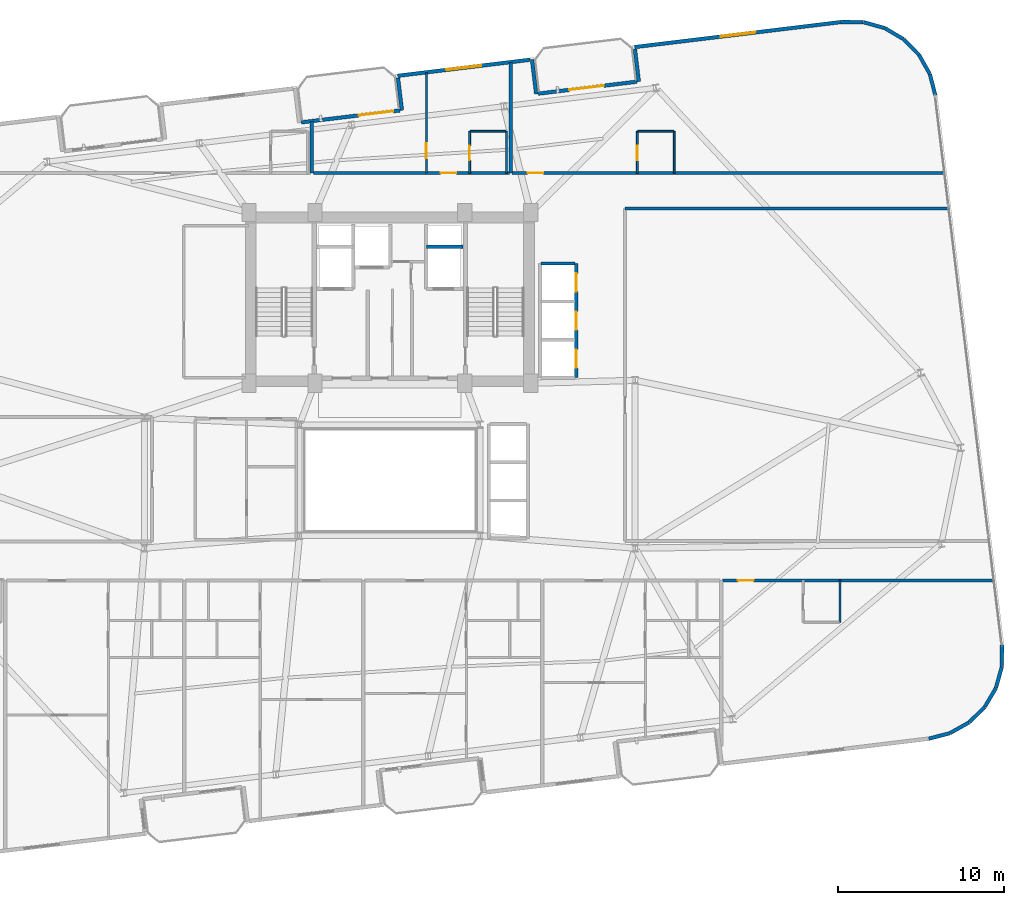
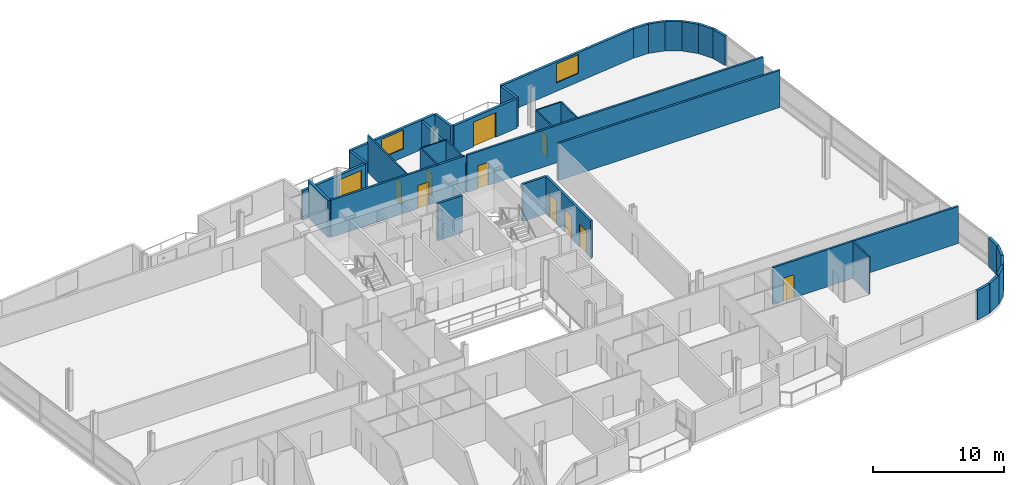
# One storey, part 18 of 23: 36 walls, 11 doors, 2 windows, 13 openings.
"""IFC4 building model written with IfcOpenShell, lengths in metres."""

from ifc_helpers import new_model, si_unit, direction, frame, frame_2d, origin, place, context, subcontext, project, spatial, rectangle, extrude, material, layer, layer_set, type_object, element, fill, save


model = new_model("IFC4")

# Units and contexts
model_context = context("Model", 3, precision=1e-05, world=origin(), true_north=direction((0.0, 1.0)))
body_context = subcontext(model_context, "Body", "Model", "MODEL_VIEW")
ifc_project = project(units=[si_unit("LENGTHUNIT", "METRE"), si_unit("AREAUNIT", "SQUARE_METRE"), si_unit("VOLUMEUNIT", "CUBIC_METRE"), si_unit("PLANEANGLEUNIT", "RADIAN"), si_unit("MASSUNIT", "GRAM", prefix="KILO")], contexts=[model_context])

# Site, building, storey
site_placement = place(None, origin())
site = spatial("IfcSite", under=ifc_project, at=site_placement, CompositionType="ELEMENT")
building_placement = place(site_placement, origin())
building = spatial("IfcBuilding", under=site, at=building_placement, Name="Varnelok Gate Tower", CompositionType="ELEMENT")
storey_placement = place(building_placement, frame((0.0, 0.0, 170.89990234375)))
storey = spatial("IfcBuildingStorey", under=building, at=storey_placement, Name="L43", CompositionType="ELEMENT", Elevation=170.89990234375)

# Wall, opening, door
ifc_material_1 = material(Name="Concrete C45/55", Category="concrete")
ifc_layer_1 = layer(ifc_material_1, 0.219970703125)
ifc_layer_set_1 = layer_set([ifc_layer_1], Name="Concrete C45/55")
wall_type_1 = type_object("IfcWallType", Name="EW-BALC-220", PredefinedType="SOLIDWALL", material=ifc_layer_set_1)
wall_1_placement = place(storey_placement, frame((33.852294921875, 44.48583984375, 0.0), z_axis=(0.0, 0.0, 1.0), x_axis=(0.992729951822, 0.120362962556, 0.0)))
wall_1 = element("IfcWall", 1, at=wall_1_placement, inside=storey, type_object=wall_type_1, Name="L43 North Terrace Envelope Wall 5", PredefinedType="SOLIDWALL", context=body_context, shape_type="SweptSolid", body=[
    extrude(rectangle(XDim=6.0, YDim=0.219970703125, at=frame_2d((3.0, 0.0))), origin(), (0.0, 0.0, 1.0), 2.72998046875),
])
opening_1_placement = place(wall_1_placement, frame((3.5, 0.0, 0.0)))
opening_1 = element("IfcOpeningElement", 2, at=opening_1_placement, cuts=wall_1, Name="Opening BD-2", PredefinedType="OPENING", context=body_context, shape_type="SweptSolid", body=[
    extrude(rectangle(XDim=2.10009765625, YDim=2.300048828125, at=frame_2d((1.050048828125, 1.14990234375))), frame((0.0, 0.119873046875, 0.0), z_axis=(0.0, -1.0, 0.0), x_axis=(1.0, 0.0, 0.0)), (0.0, 0.0, 1.0), 0.239990234375),
])
ifc_material_2 = material(Name="Anodized Aluminum Alloy 6063-T6", Category="aluminium")
door_type_1 = type_object("IfcDoorType", Name="DR-EXT-SLID2100", OperationType="SLIDING_TO_LEFT", PredefinedType="DOOR", material=ifc_material_2)
door_1_placement = place(opening_1_placement, origin())
door_1 = element("IfcDoor", 3, at=door_1_placement, inside=storey, type_object=door_type_1, Name="L43 North Balcony Glazed Door 5", OperationType="SLIDING_TO_LEFT", OverallHeight=2.300048828125, OverallWidth=2.10009765625, PredefinedType="DOOR", context=body_context, shape_type="SweptSolid", body=[
    extrude(rectangle(XDim=2.10009765625, YDim=2.300048828125, at=frame_2d((1.050048828125, 1.14990234375))), frame((0.0, 0.02490234375, 0.0), z_axis=(0.0, -1.0, 0.0), x_axis=(1.0, 0.0, 0.0)), (0.0, 0.0, 1.0), 0.050048828125),
])
fill(opening_1, door_1)

wall_2_placement = place(storey_placement, frame((48.147705078125, 46.21875, 0.0), z_axis=(0.0, 0.0, 1.0), x_axis=(0.992729951822, 0.120362962556, 0.0)))
wall_2 = element("IfcWall", 4, at=wall_2_placement, inside=storey, type_object=wall_type_1, Name="L43 North Terrace Envelope Wall 6", PredefinedType="SOLIDWALL", context=body_context, shape_type="SweptSolid", body=[
    extrude(rectangle(XDim=6.0, YDim=0.219970703125, at=frame_2d((3.0, 0.0))), origin(), (0.0, 0.0, 1.0), 2.72998046875),
])
opening_2_placement = place(wall_2_placement, frame((1.887939453125, 0.0, 0.0)))
opening_2 = element("IfcOpeningElement", 5, at=opening_2_placement, cuts=wall_2, Name="Opening BD-2", PredefinedType="OPENING", context=body_context, shape_type="SweptSolid", body=[
    extrude(rectangle(XDim=2.10009765625, YDim=2.300048828125, at=frame_2d((1.050048828125, 1.14990234375))), frame((0.0, 0.119873046875, 0.0), z_axis=(0.0, -1.0, 0.0), x_axis=(1.0, 0.0, 0.0)), (0.0, 0.0, 1.0), 0.239990234375),
])
door_2_placement = place(opening_2_placement, origin())
door_2 = element("IfcDoor", 6, at=door_2_placement, inside=storey, type_object=door_type_1, Name="L43 North Balcony Glazed Door 6", OperationType="SLIDING_TO_LEFT", OverallHeight=2.300048828125, OverallWidth=2.10009765625, PredefinedType="DOOR", context=body_context, shape_type="SweptSolid", body=[
    extrude(rectangle(XDim=2.10009765625, YDim=2.300048828125, at=frame_2d((1.050048828125, 1.14990234375))), frame((0.0, 0.02490234375, 0.0), z_axis=(0.0, -1.0, 0.0), x_axis=(1.0, 0.0, 0.0)), (0.0, 0.0, 1.0), 0.050048828125),
])
fill(opening_2, door_2)

# Walls
wall_3_placement = place(storey_placement, frame((71.71875, 7.305908203125, 0.0), z_axis=(0.0, 0.0, 1.0), x_axis=(0.968541764193, 0.248851061909, 0.0)))
element("IfcWall", 7, at=wall_3_placement, inside=storey, type_object=wall_type_1, Name="L43 Perimeter Facade Closure Wall 17", PredefinedType="SOLIDWALL", context=body_context, shape_type="SweptSolid", body=[
    extrude(rectangle(XDim=1.308837890625, YDim=0.219970703125, at=frame_2d((0.654296875, 0.0))), origin(), (0.0, 0.0, 1.0), 2.72998046875),
])
for number, where, z_axis, x_axis, name in (
    (8, (73.00830078125, 7.64404296875, 0.0), (0.0, 0.0, 1.0), (0.87105877335, 0.491178799797, 0.0), "L43 Perimeter Facade Closure Wall 18"),
    (9, (74.1591796875, 8.30029296875, 0.0), (0.0, 0.0, 1.0), (0.714295394827, 0.699844331926, 0.0), "L43 Perimeter Facade Closure Wall 19"),
    (10, (75.101318359375, 9.232177734375, 0.0), (0.0, 0.0, 1.0), (0.508798863936, 0.860885425627, 0.0), "L43 Perimeter Facade Closure Wall 20"),
    (11, (75.77001953125, 10.376220703125, 0.0), (0.0, 0.0, 1.0), (0.26859243053, 0.963253915778, 0.0), "L43 Perimeter Facade Closure Wall 21"),
):
    element("IfcWall", number, at=place(storey_placement, frame(where, z_axis=z_axis, x_axis=x_axis)), inside=storey, type_object=wall_type_1, Name=name, PredefinedType="SOLIDWALL", context=body_context, shape_type="SweptSolid", body=[
        extrude(rectangle(XDim=1.30078125, YDim=0.219970703125, at=frame_2d((0.650390625, 0.0))), origin(), (0.0, 0.0, 1.0), 2.72998046875),
    ])
wall_4_placement = place(storey_placement, frame((76.11962890625, 11.654052734375, 0.0), z_axis=(0.0, 0.0, 1.0), x_axis=(0.01032033607, 0.999946743914, 0.0)))
element("IfcWall", 12, at=wall_4_placement, inside=storey, type_object=wall_type_1, Name="L43 Perimeter Facade Closure Wall 22", PredefinedType="SOLIDWALL", context=body_context, shape_type="SweptSolid", body=[
    extrude(rectangle(XDim=1.301025390625, YDim=0.219970703125, at=frame_2d((0.650390625, 0.0))), origin(), (0.0, 0.0, 1.0), 2.72998046875),
])
wall_5_placement = place(storey_placement, frame((72.113525390625, 46.1123046875, 0.0), z_axis=(0.0, 0.0, 1.0), x_axis=(-0.248942347653, 0.968518305219, 0.0)))
element("IfcWall", 13, at=wall_5_placement, inside=storey, type_object=wall_type_1, Name="L43 Perimeter Facade Closure Wall 23", PredefinedType="SOLIDWALL", context=body_context, shape_type="SweptSolid", body=[
    extrude(rectangle(XDim=1.325927734375, YDim=0.219970703125, at=frame_2d((0.6630859375, 0.0))), origin(), (0.0, 0.0, 1.0), 2.72998046875),
])
wall_6_placement = place(storey_placement, frame((71.771240234375, 47.418212890625, 0.0), z_axis=(0.0, 0.0, 1.0), x_axis=(-0.491098509465, 0.871104043155, 0.0)))
element("IfcWall", 14, at=wall_6_placement, inside=storey, type_object=wall_type_1, Name="L43 Perimeter Facade Closure Wall 24", PredefinedType="SOLIDWALL", context=body_context, shape_type="SweptSolid", body=[
    extrude(rectangle(XDim=1.301025390625, YDim=0.219970703125, at=frame_2d((0.650390625, 0.0))), origin(), (0.0, 0.0, 1.0), 2.72998046875),
])
wall_7_placement = place(storey_placement, frame((71.114990234375, 48.5693359375, 0.0), z_axis=(0.0, 0.0, 1.0), x_axis=(-0.699844331926, 0.714295394827, 0.0)))
element("IfcWall", 15, at=wall_7_placement, inside=storey, type_object=wall_type_1, Name="L43 Perimeter Facade Closure Wall 25", PredefinedType="SOLIDWALL", context=body_context, shape_type="SweptSolid", body=[
    extrude(rectangle(XDim=1.30078125, YDim=0.219970703125, at=frame_2d((0.650390625, 0.0))), origin(), (0.0, 0.0, 1.0), 2.72998046875),
])
wall_8_placement = place(storey_placement, frame((70.18310546875, 49.51123046875, 0.0), z_axis=(0.0, 0.0, 1.0), x_axis=(-0.860933999601, 0.508716668029, 0.0)))
element("IfcWall", 16, at=wall_8_placement, inside=storey, type_object=wall_type_1, Name="L43 Perimeter Facade Closure Wall 26", PredefinedType="SOLIDWALL", context=body_context, shape_type="SweptSolid", body=[
    extrude(rectangle(XDim=1.301025390625, YDim=0.219970703125, at=frame_2d((0.650390625, 0.0))), origin(), (0.0, 0.0, 1.0), 2.72998046875),
])
wall_9_placement = place(storey_placement, frame((69.0390625, 50.179931640625, 0.0), z_axis=(0.0, 0.0, 1.0), x_axis=(-0.963205341366, 0.26876657226, 0.0)))
element("IfcWall", 17, at=wall_9_placement, inside=storey, type_object=wall_type_1, Name="L43 Perimeter Facade Closure Wall 27", PredefinedType="SOLIDWALL", context=body_context, shape_type="SweptSolid", body=[
    extrude(rectangle(XDim=1.30078125, YDim=0.219970703125, at=frame_2d((0.650390625, 0.0))), origin(), (0.0, 0.0, 1.0), 2.72998046875),
])
wall_10_placement = place(storey_placement, frame((67.760986328125, 50.52978515625, 0.0), z_axis=(0.0, 0.0, 1.0), x_axis=(-0.999947358106, 0.010260653861, 0.0)))
element("IfcWall", 18, at=wall_10_placement, inside=storey, type_object=wall_type_1, Name="L43 Perimeter Facade Closure Wall 28", PredefinedType="SOLIDWALL", context=body_context, shape_type="SweptSolid", body=[
    extrude(rectangle(XDim=1.30859375, YDim=0.219970703125, at=frame_2d((0.654296875, 0.0))), origin(), (0.0, 0.0, 1.0), 2.72998046875),
])

# Wall, opening, window
wall_11_placement = place(storey_placement, frame((66.427490234375, 50.5400390625, 0.0), z_axis=(0.0, 0.0, 1.0), x_axis=(-0.992731739233, -0.120348219431, 0.0)))
wall_11 = element("IfcWall", 19, at=wall_11_placement, inside=storey, type_object=wall_type_1, Name="L43 Perimeter Facade Closure Wall 29", PredefinedType="SOLIDWALL", context=body_context, shape_type="SweptSolid", body=[
    extrude(rectangle(XDim=12.547119140625, YDim=0.219970703125, at=frame_2d((6.2734375, 0.0))), origin(), (0.0, 0.0, 1.0), 2.72998046875),
])
opening_3_placement = place(wall_11_placement, frame((5.2236328125, 0.0, 0.800048828125)))
opening_3 = element("IfcOpeningElement", 20, at=opening_3_placement, cuts=wall_11, Name="Opening WN4", PredefinedType="OPENING", context=body_context, shape_type="SweptSolid", body=[
    extrude(rectangle(XDim=2.10009765625, YDim=1.75, at=frame_2d((1.050048828125, 0.875))), frame((0.0, 0.119873046875, 0.0), z_axis=(0.0, -1.0, 0.0), x_axis=(1.0, 0.0, 0.0)), (0.0, 0.0, 1.0), 0.239990234375),
])
ifc_material_3 = material(Name="Low-E Laminated Double Glazing IGU", Category="glass")
window_type = type_object("IfcWindowType", Name="WN-SUI-2100", PartitioningType="SINGLE_PANEL", PredefinedType="WINDOW", material=ifc_material_3)
window_1_placement = place(opening_3_placement, origin())
window_1 = element("IfcWindow", 21, at=window_1_placement, inside=storey, type_object=window_type, Name="L43 Perimeter Vision Window 29", OverallHeight=1.75, OverallWidth=2.10009765625, PartitioningType="SINGLE_PANEL", PredefinedType="WINDOW", context=body_context, shape_type="SweptSolid", body=[
    extrude(rectangle(XDim=2.10009765625, YDim=1.75, at=frame_2d((1.050048828125, 0.875))), frame((0.0, 0.030029296875, 0.0), z_axis=(0.0, -1.0, 0.0), x_axis=(1.0, 0.0, 0.0)), (0.0, 0.0, 1.0), 0.06005859375),
])
fill(opening_3, window_1)

# Walls
wall_12_placement = place(storey_placement, frame((53.986572265625, 48.906005859375, 0.0), z_axis=(0.0, 0.0, 1.0), x_axis=(0.120397815541, -0.992725725472, 0.0)))
element("IfcWall", 22, at=wall_12_placement, inside=storey, type_object=wall_type_1, Name="L43 Perimeter Facade Closure Wall 30", PredefinedType="SOLIDWALL", context=body_context, shape_type="SweptSolid", body=[
    extrude(rectangle(XDim=1.97509765625, YDim=0.219970703125, at=frame_2d((0.987548828125, 0.0))), origin(), (0.0, 0.0, 1.0), 2.72998046875),
])
wall_13_placement = place(storey_placement, frame((48.029541015625, 46.1943359375, 0.0), z_axis=(0.0, 0.0, 1.0), x_axis=(-0.120314009587, 0.992735885871, 0.0)))
element("IfcWall", 23, at=wall_13_placement, inside=storey, type_object=wall_type_1, Name="L43 Perimeter Facade Closure Wall 31", PredefinedType="SOLIDWALL", context=body_context, shape_type="SweptSolid", body=[
    extrude(rectangle(XDim=2.10009765625, YDim=0.219970703125, at=frame_2d((1.050048828125, 0.0))), origin(), (0.0, 0.0, 1.0), 2.72998046875),
])

# Wall, opening, window
wall_14_placement = place(storey_placement, frame((47.65283203125, 48.26416015625, 0.0), z_axis=(0.0, 0.0, 1.0), x_axis=(-0.992731032022, -0.120354052946, 0.0)))
wall_14 = element("IfcWall", 24, at=wall_14_placement, inside=storey, type_object=wall_type_1, Name="L43 Perimeter Facade Closure Wall 32", PredefinedType="SOLIDWALL", context=body_context, shape_type="SweptSolid", body=[
    extrude(rectangle(XDim=8.034912109375, YDim=0.219970703125, at=frame_2d((4.017578125, 0.0))), origin(), (0.0, 0.0, 1.0), 2.72998046875),
])
opening_4_placement = place(wall_14_placement, frame((2.967529296875, 0.0, 0.800048828125)))
opening_4 = element("IfcOpeningElement", 25, at=opening_4_placement, cuts=wall_14, Name="Opening WN4", PredefinedType="OPENING", context=body_context, shape_type="SweptSolid", body=[
    extrude(rectangle(XDim=2.10009765625, YDim=1.75, at=frame_2d((1.050048828125, 0.875))), frame((0.0, 0.119873046875, 0.0), z_axis=(0.0, -1.0, 0.0), x_axis=(1.0, 0.0, 0.0)), (0.0, 0.0, 1.0), 0.239990234375),
])
window_2_placement = place(opening_4_placement, origin())
window_2 = element("IfcWindow", 26, at=window_2_placement, inside=storey, type_object=window_type, Name="L43 Perimeter Vision Window 32", OverallHeight=1.75, OverallWidth=2.10009765625, PartitioningType="SINGLE_PANEL", PredefinedType="WINDOW", context=body_context, shape_type="SweptSolid", body=[
    extrude(rectangle(XDim=2.10009765625, YDim=1.75, at=frame_2d((1.050048828125, 0.875))), frame((0.0, 0.030029296875, 0.0), z_axis=(0.0, -1.0, 0.0), x_axis=(1.0, 0.0, 0.0)), (0.0, 0.0, 1.0), 0.06005859375),
])
fill(opening_4, window_2)

# Wall
wall_15_placement = place(storey_placement, frame((39.691162109375, 47.173095703125, 0.0), z_axis=(0.0, 0.0, 1.0), x_axis=(0.120397815541, -0.992725725472, 0.0)))
element("IfcWall", 27, at=wall_15_placement, inside=storey, type_object=wall_type_1, Name="L43 Perimeter Facade Closure Wall 33", PredefinedType="SOLIDWALL", context=body_context, shape_type="SweptSolid", body=[
    extrude(rectangle(XDim=1.97509765625, YDim=0.219970703125, at=frame_2d((0.987548828125, 0.0))), origin(), (0.0, 0.0, 1.0), 2.72998046875),
])

# Wall, opening, door
ifc_material_4 = material(Name="Gypsum Plasterboard Acoustic Partition", Category="gypsum")
ifc_layer_2 = layer(ifc_material_4, 0.179931640625)
ifc_layer_set_2 = layer_set([ifc_layer_2], Name="Gypsum Plasterboard Acoustic Partition")
wall_type_2 = type_object("IfcWallType", Name="PW-CORR-180", PredefinedType="PARTITIONING", material=ifc_layer_set_2)
wall_16_placement = place(storey_placement, frame((59.280029296875, 16.85009765625, 0.0), z_axis=(0.0, 0.0, 1.0), x_axis=(1.0, 0.0, 0.0)))
wall_16 = element("IfcWall", 28, at=wall_16_placement, inside=storey, type_object=wall_type_2, Name="Interior Partition", PredefinedType="PARTITIONING", context=body_context, shape_type="SweptSolid", body=[
    extrude(rectangle(XDim=16.32177734375, YDim=0.179931640625, at=frame_2d((8.160888671875, 0.0))), origin(), (0.0, 0.0, 1.0), 3.4501953125),
])
opening_5_placement = place(wall_16_placement, frame((0.916015625, 0.0, 0.0)))
opening_5 = element("IfcOpeningElement", 29, at=opening_5_placement, cuts=wall_16, Name="Opening D-HT", PredefinedType="OPENING", context=body_context, shape_type="SweptSolid", body=[
    extrude(rectangle(XDim=0.949951171875, YDim=2.14990234375, at=frame_2d((0.47509765625, 1.074951171875))), frame((0.0, 0.099853515625, 0.0), z_axis=(0.0, -1.0, 0.0), x_axis=(1.0, 0.0, 0.0)), (0.0, 0.0, 1.0), 0.199951171875),
])
ifc_material_5 = material(Name="Engineered Hardwood Timber", Category="wood")
door_type_2 = type_object("IfcDoorType", Name="DR-HTL-950", OperationType="NOTDEFINED", PredefinedType="DOOR", material=ifc_material_5)
door_3_placement = place(opening_5_placement, origin())
door_3 = element("IfcDoor", 30, at=door_3_placement, inside=storey, type_object=door_type_2, Name="L43 Guest Room 06 Entrance Door", OperationType="SINGLE_SWING_LEFT", OverallHeight=2.14990234375, OverallWidth=0.949951171875, PredefinedType="DOOR", context=body_context, shape_type="SweptSolid", body=[
    extrude(rectangle(XDim=0.949951171875, YDim=2.14990234375, at=frame_2d((0.47509765625, 1.074951171875))), frame((0.0, 0.02490234375, 0.0), z_axis=(0.0, -1.0, 0.0), x_axis=(1.0, 0.0, 0.0)), (0.0, 0.0, 1.0), 0.050048828125),
])
fill(opening_5, door_3)

wall_17_placement = place(storey_placement, frame((34.580078125, 41.429931640625, 0.0), z_axis=(0.0, 0.0, 1.0), x_axis=(1.0, 0.0, 0.0)))
wall_17 = element("IfcWall", 31, at=wall_17_placement, inside=storey, type_object=wall_type_2, Name="Interior Partition", PredefinedType="PARTITIONING", context=body_context, shape_type="SweptSolid", body=[
    extrude(rectangle(XDim=11.83984375, YDim=0.179931640625, at=frame_2d((5.919921875, 0.0))), origin(), (0.0, 0.0, 1.0), 3.4501953125),
])
opening_6_placement = place(wall_17_placement, frame((7.679931640625, 0.0, 0.0)))
opening_6 = element("IfcOpeningElement", 32, at=opening_6_placement, cuts=wall_17, Name="Opening D-HT", PredefinedType="OPENING", context=body_context, shape_type="SweptSolid", body=[
    extrude(rectangle(XDim=0.949951171875, YDim=2.14990234375, at=frame_2d((0.47509765625, 1.074951171875))), frame((0.0, 0.099853515625, 0.0), z_axis=(0.0, -1.0, 0.0), x_axis=(1.0, 0.0, 0.0)), (0.0, 0.0, 1.0), 0.199951171875),
])
door_4_placement = place(opening_6_placement, origin())
door_4 = element("IfcDoor", 33, at=door_4_placement, inside=storey, type_object=door_type_2, Name="L43 Guest Room 08 Entrance Door", OperationType="SINGLE_SWING_LEFT", OverallHeight=2.14990234375, OverallWidth=0.949951171875, PredefinedType="DOOR", context=body_context, shape_type="SweptSolid", body=[
    extrude(rectangle(XDim=0.949951171875, YDim=2.14990234375, at=frame_2d((0.47509765625, 1.074951171875))), frame((0.0, 0.02490234375, 0.0), z_axis=(0.0, -1.0, 0.0), x_axis=(1.0, 0.0, 0.0)), (0.0, 0.0, 1.0), 0.050048828125),
])
fill(opening_6, door_4)

wall_18_placement = place(storey_placement, frame((46.580078125, 41.429931640625, 0.0), z_axis=(0.0, 0.0, 1.0), x_axis=(1.0, 0.0, 0.0)))
wall_18 = element("IfcWall", 34, at=wall_18_placement, inside=storey, type_object=wall_type_2, Name="Interior Partition", PredefinedType="PARTITIONING", context=body_context, shape_type="SweptSolid", body=[
    extrude(rectangle(XDim=26.0419921875, YDim=0.179931640625, at=frame_2d((13.02099609375, 0.0))), origin(), (0.0, 0.0, 1.0), 3.4501953125),
])
opening_7_placement = place(wall_18_placement, frame((0.92626953125, 0.0, 0.0)))
opening_7 = element("IfcOpeningElement", 35, at=opening_7_placement, cuts=wall_18, Name="Opening D-HT", PredefinedType="OPENING", context=body_context, shape_type="SweptSolid", body=[
    extrude(rectangle(XDim=0.949951171875, YDim=2.14990234375, at=frame_2d((0.47509765625, 1.074951171875))), frame((0.0, 0.099853515625, 0.0), z_axis=(0.0, -1.0, 0.0), x_axis=(1.0, 0.0, 0.0)), (0.0, 0.0, 1.0), 0.199951171875),
])
door_5_placement = place(opening_7_placement, origin())
door_5 = element("IfcDoor", 36, at=door_5_placement, inside=storey, type_object=door_type_2, Name="L43 Guest Room 09 Entrance Door", OperationType="SINGLE_SWING_RIGHT", OverallHeight=2.14990234375, OverallWidth=0.949951171875, PredefinedType="DOOR", context=body_context, shape_type="SweptSolid", body=[
    extrude(rectangle(XDim=0.949951171875, YDim=2.14990234375, at=frame_2d((0.47509765625, 1.074951171875))), frame((0.0, 0.02490234375, 0.0), z_axis=(0.0, -1.0, 0.0), x_axis=(1.0, 0.0, 0.0)), (0.0, 0.0, 1.0), 0.050048828125),
])
fill(opening_7, door_5)

# Walls
wall_19_placement = place(storey_placement, frame((53.389892578125, 39.300048828125, 0.0), z_axis=(0.0, 0.0, 1.0), x_axis=(1.0, 0.0, 0.0)))
element("IfcWall", 37, at=wall_19_placement, inside=storey, type_object=wall_type_2, Name="Interior Partition", PredefinedType="PARTITIONING", context=body_context, shape_type="SweptSolid", body=[
    extrude(rectangle(XDim=19.490234375, YDim=0.179931640625, at=frame_2d((9.7451171875, 0.0))), origin(), (0.0, 0.0, 1.0), 3.4501953125),
])
ifc_layer_3 = layer(ifc_material_4, 0.114990234375)
ifc_layer_set_3 = layer_set([ifc_layer_3], Name="Gypsum Plasterboard Acoustic Partition")
wall_type_3 = type_object("IfcWallType", Name="PW-ENS-125", PredefinedType="PARTITIONING", material=ifc_layer_set_3)
wall_20_placement = place(storey_placement, frame((66.360107421875, 14.330078125, 0.0), z_axis=(0.0, 0.0, 1.0), x_axis=(0.0, 1.0, 0.0)))
element("IfcWall", 38, at=wall_20_placement, inside=storey, type_object=wall_type_3, Name="Interior Partition", PredefinedType="PARTITIONING", context=body_context, shape_type="SweptSolid", body=[
    extrude(rectangle(XDim=2.52001953125, YDim=0.114990234375, at=frame_2d((1.260009765625, 0.0))), origin(), (0.0, 0.0, 1.0), 3.4501953125),
])
wall_21_placement = place(storey_placement, frame((44.050048828125, 43.949951171875, 0.0), z_axis=(0.0, 0.0, 1.0), x_axis=(1.0, 0.0, 0.0)))
element("IfcWall", 39, at=wall_21_placement, inside=storey, type_object=wall_type_3, Name="Interior Partition", PredefinedType="PARTITIONING", context=body_context, shape_type="SweptSolid", body=[
    extrude(rectangle(XDim=2.14990234375, YDim=0.114990234375, at=frame_2d((1.074951171875, 0.0))), origin(), (0.0, 0.0, 1.0), 3.4501953125),
])

# Wall, opening, door
wall_22_placement = place(storey_placement, frame((44.010009765625, 41.429931640625, 0.0), z_axis=(0.0, 0.0, 1.0), x_axis=(0.0, 1.0, 0.0)))
wall_22 = element("IfcWall", 40, at=wall_22_placement, inside=storey, type_object=wall_type_3, Name="Interior Partition", PredefinedType="PARTITIONING", context=body_context, shape_type="SweptSolid", body=[
    extrude(rectangle(XDim=2.52001953125, YDim=0.114990234375, at=frame_2d((1.260009765625, 0.0))), origin(), (0.0, 0.0, 1.0), 3.4501953125),
])
opening_8_placement = place(wall_22_placement, frame((0.760009765625, 0.0, 0.0)))
opening_8 = element("IfcOpeningElement", 41, at=opening_8_placement, cuts=wall_22, Name="Opening D-WC", PredefinedType="OPENING", context=body_context, shape_type="SweptSolid", body=[
    extrude(rectangle(XDim=0.89990234375, YDim=2.050048828125, at=frame_2d((0.449951171875, 1.02490234375))), frame((0.0, 0.0673828125, 0.0), z_axis=(0.0, -1.0, 0.0), x_axis=(1.0, 0.0, 0.0)), (0.0, 0.0, 1.0), 0.135009765625),
])
door_type_3 = type_object("IfcDoorType", Name="DR-BATH-900", OperationType="NOTDEFINED", PredefinedType="DOOR", material=ifc_material_5)
door_6_placement = place(opening_8_placement, origin())
door_6 = element("IfcDoor", 42, at=door_6_placement, inside=storey, type_object=door_type_3, Name="L43 North En-Suite 08 Door", OperationType="SINGLE_SWING_LEFT", OverallHeight=2.050048828125, OverallWidth=0.89990234375, PredefinedType="DOOR", context=body_context, shape_type="SweptSolid", body=[
    extrude(rectangle(XDim=0.89990234375, YDim=2.050048828125, at=frame_2d((0.449951171875, 1.02490234375))), frame((0.0, 0.02490234375, 0.0), z_axis=(0.0, -1.0, 0.0), x_axis=(1.0, 0.0, 0.0)), (0.0, 0.0, 1.0), 0.050048828125),
])
fill(opening_8, door_6)

# Walls
wall_23_placement = place(storey_placement, frame((46.239990234375, 41.429931640625, 0.0), z_axis=(0.0, 0.0, 1.0), x_axis=(0.0, 1.0, 0.0)))
element("IfcWall", 43, at=wall_23_placement, inside=storey, type_object=wall_type_3, Name="Interior Partition", PredefinedType="PARTITIONING", context=body_context, shape_type="SweptSolid", body=[
    extrude(rectangle(XDim=2.52001953125, YDim=0.114990234375, at=frame_2d((1.260009765625, 0.0))), origin(), (0.0, 0.0, 1.0), 3.4501953125),
])
wall_24_placement = place(storey_placement, frame((54.169921875, 43.949951171875, 0.0), z_axis=(0.0, 0.0, 1.0), x_axis=(1.0, 0.0, 0.0)))
element("IfcWall", 44, at=wall_24_placement, inside=storey, type_object=wall_type_3, Name="Interior Partition", PredefinedType="PARTITIONING", context=body_context, shape_type="SweptSolid", body=[
    extrude(rectangle(XDim=2.150146484375, YDim=0.114990234375, at=frame_2d((1.0751953125, 0.0))), origin(), (0.0, 0.0, 1.0), 3.4501953125),
])

# Wall, opening, door
wall_25_placement = place(storey_placement, frame((54.1298828125, 41.429931640625, 0.0), z_axis=(0.0, 0.0, 1.0), x_axis=(0.0, 1.0, 0.0)))
wall_25 = element("IfcWall", 45, at=wall_25_placement, inside=storey, type_object=wall_type_3, Name="Interior Partition", PredefinedType="PARTITIONING", context=body_context, shape_type="SweptSolid", body=[
    extrude(rectangle(XDim=2.52001953125, YDim=0.114990234375, at=frame_2d((1.260009765625, 0.0))), origin(), (0.0, 0.0, 1.0), 3.4501953125),
])
opening_9_placement = place(wall_25_placement, frame((0.760009765625, 0.0, 0.0)))
opening_9 = element("IfcOpeningElement", 46, at=opening_9_placement, cuts=wall_25, Name="Opening D-WC", PredefinedType="OPENING", context=body_context, shape_type="SweptSolid", body=[
    extrude(rectangle(XDim=0.89990234375, YDim=2.050048828125, at=frame_2d((0.449951171875, 1.02490234375))), frame((0.0, 0.0673828125, 0.0), z_axis=(0.0, -1.0, 0.0), x_axis=(1.0, 0.0, 0.0)), (0.0, 0.0, 1.0), 0.135009765625),
])
door_7_placement = place(opening_9_placement, origin())
door_7 = element("IfcDoor", 47, at=door_7_placement, inside=storey, type_object=door_type_3, Name="L43 North En-Suite 09 Door", OperationType="SINGLE_SWING_LEFT", OverallHeight=2.050048828125, OverallWidth=0.89990234375, PredefinedType="DOOR", context=body_context, shape_type="SweptSolid", body=[
    extrude(rectangle(XDim=0.89990234375, YDim=2.050048828125, at=frame_2d((0.449951171875, 1.02490234375))), frame((0.0, 0.02490234375, 0.0), z_axis=(0.0, -1.0, 0.0), x_axis=(1.0, 0.0, 0.0)), (0.0, 0.0, 1.0), 0.050048828125),
])
fill(opening_9, door_7)

# Wall
wall_26_placement = place(storey_placement, frame((56.360107421875, 41.429931640625, 0.0), z_axis=(0.0, 0.0, 1.0), x_axis=(0.0, 1.0, 0.0)))
element("IfcWall", 48, at=wall_26_placement, inside=storey, type_object=wall_type_3, Name="Interior Partition", PredefinedType="PARTITIONING", context=body_context, shape_type="SweptSolid", body=[
    extrude(rectangle(XDim=2.52001953125, YDim=0.114990234375, at=frame_2d((1.260009765625, 0.0))), origin(), (0.0, 0.0, 1.0), 3.4501953125),
])

# Wall, opening, door
ifc_layer_4 = layer(ifc_material_4, 0.125)
ifc_layer_set_4 = layer_set([ifc_layer_4], Name="Gypsum Plasterboard Acoustic Partition")
wall_type_4 = type_object("IfcWallType", Name="PW-PART-125", PredefinedType="PARTITIONING", material=ifc_layer_set_4)
wall_27_placement = place(storey_placement, frame((41.39990234375, 41.429931640625, 0.0), z_axis=(0.0, 0.0, 1.0), x_axis=(0.0, 1.0, 0.0)))
wall_27 = element("IfcWall", 49, at=wall_27_placement, inside=storey, type_object=wall_type_4, Name="Interior Partition", PredefinedType="PARTITIONING", context=body_context, shape_type="SweptSolid", body=[
    extrude(rectangle(XDim=6.05615234375, YDim=0.125, at=frame_2d((3.028076171875, 0.0))), origin(), (0.0, 0.0, 1.0), 3.4501953125),
])
opening_10_placement = place(wall_27_placement, frame((0.8876953125, 0.0, 0.0)))
opening_10 = element("IfcOpeningElement", 50, at=opening_10_placement, cuts=wall_27, Name="Opening D-I3", PredefinedType="OPENING", context=body_context, shape_type="SweptSolid", body=[
    extrude(rectangle(XDim=0.919921875, YDim=2.050048828125, at=frame_2d((0.4599609375, 1.02490234375))), frame((0.0, 0.072509765625, 0.0), z_axis=(0.0, -1.0, 0.0), x_axis=(1.0, 0.0, 0.0)), (0.0, 0.0, 1.0), 0.14501953125),
])
door_type_4 = type_object("IfcDoorType", Name="DR-INT-920", OperationType="NOTDEFINED", PredefinedType="DOOR", material=ifc_material_5)
door_8_placement = place(opening_10_placement, origin())
door_8 = element("IfcDoor", 51, at=door_8_placement, inside=storey, type_object=door_type_4, Name="L43 Suite Bedroom Door 8", OperationType="SINGLE_SWING_LEFT", OverallHeight=2.050048828125, OverallWidth=0.919921875, PredefinedType="DOOR", context=body_context, shape_type="SweptSolid", body=[
    extrude(rectangle(XDim=0.919921875, YDim=2.050048828125, at=frame_2d((0.4599609375, 1.02490234375))), frame((0.0, 0.02490234375, 0.0), z_axis=(0.0, -1.0, 0.0), x_axis=(1.0, 0.0, 0.0)), (0.0, 0.0, 1.0), 0.050048828125),
])
fill(opening_10, door_8)

# Walls
ifc_layer_5 = layer(ifc_material_4, 0.205078125)
ifc_layer_set_5 = layer_set([ifc_layer_5], Name="Gypsum Plasterboard Acoustic Partition")
wall_type_5 = type_object("IfcWallType", Name="PW-PARTY-200", PredefinedType="PARTITIONING", material=ifc_layer_set_5)
wall_28_placement = place(storey_placement, frame((34.5, 41.429931640625, 0.0), z_axis=(0.0, 0.0, 1.0), x_axis=(0.0, 1.0, 0.0)))
element("IfcWall", 52, at=wall_28_placement, inside=storey, type_object=wall_type_5, Name="L43 North Party Wall 1", PredefinedType="PARTITIONING", context=body_context, shape_type="SweptSolid", body=[
    extrude(rectangle(XDim=3.104248046875, YDim=0.205078125, at=frame_2d((1.55224609375, 0.0))), origin(), (0.0, 0.0, 1.0), 3.4501953125),
])
wall_29_placement = place(storey_placement, frame((46.5, 41.429931640625, 0.0), z_axis=(0.0, 0.0, 1.0), x_axis=(0.0, 1.0, 0.0)))
element("IfcWall", 53, at=wall_29_placement, inside=storey, type_object=wall_type_5, Name="L43 North Party Wall 2", PredefinedType="PARTITIONING", context=body_context, shape_type="SweptSolid", body=[
    extrude(rectangle(XDim=6.67431640625, YDim=0.205078125, at=frame_2d((3.337158203125, 0.0))), origin(), (0.0, 0.0, 1.0), 2.662109375),
])
ifc_material_6 = material(Name="Concrete C35/45", Category="concrete")
ifc_layer_6 = layer(ifc_material_6, 0.199951171875)
ifc_layer_set_6 = layer_set([ifc_layer_6], Name="Concrete C35/45")
wall_type_6 = type_object("IfcWallType", Name="PW-SHAFT-200", PredefinedType="PARTITIONING", material=ifc_layer_set_6)
wall_30_placement = place(storey_placement, frame((41.419921875, 36.97998046875, 0.0), z_axis=(0.0, 0.0, 1.0), x_axis=(1.0, 0.0, 0.0)))
element("IfcWall", 54, at=wall_30_placement, inside=storey, type_object=wall_type_6, Name="L43 FF2 Shaft North Wall", PredefinedType="PARTITIONING", context=body_context, shape_type="SweptSolid", body=[
    extrude(rectangle(XDim=2.18017578125, YDim=0.199951171875, at=frame_2d((1.090087890625, 0.0))), origin(), (0.0, 0.0, 1.0), 3.4501953125),
])
wall_31_placement = place(storey_placement, frame((48.320068359375, 35.969970703125, 0.0), z_axis=(0.0, 0.0, 1.0), x_axis=(1.0, 0.0, 0.0)))
element("IfcWall", 55, at=wall_31_placement, inside=storey, type_object=wall_type_6, Name="L43 PM Bank North Wall", PredefinedType="PARTITIONING", context=body_context, shape_type="SweptSolid", body=[
    extrude(rectangle(XDim=2.059814453125, YDim=0.199951171875, at=frame_2d((1.02978515625, 0.0))), origin(), (0.0, 0.0, 1.0), 3.4501953125),
])

# Wall, openings, doors
wall_32_placement = place(storey_placement, frame((50.43994140625, 29.080078125, 0.0), z_axis=(0.0, 0.0, 1.0), x_axis=(0.0, 1.0, 0.0)))
wall_32 = element("IfcWall", 56, at=wall_32_placement, inside=storey, type_object=wall_type_6, Name="L43 PM Bank Front Wall", PredefinedType="PARTITIONING", context=body_context, shape_type="SweptSolid", body=[
    extrude(rectangle(XDim=6.889892578125, YDim=0.199951171875, at=frame_2d((3.44482421875, 0.0))), origin(), (0.0, 0.0, 1.0), 3.4501953125),
])
opening_11_placement = place(wall_32_placement, frame((0.590087890625, 0.0, 0.0)))
opening_11 = element("IfcOpeningElement", 57, at=opening_11_placement, cuts=wall_32, Name="Opening LD-PM1", PredefinedType="OPENING", context=body_context, shape_type="SweptSolid", body=[
    extrude(rectangle(XDim=1.10009765625, YDim=2.14990234375, at=frame_2d((0.550048828125, 1.074951171875))), frame((0.0, 0.10986328125, 0.0), z_axis=(0.0, -1.0, 0.0), x_axis=(1.0, 0.0, 0.0)), (0.0, 0.0, 1.0), 0.219970703125),
])
opening_12_placement = place(wall_32_placement, frame((2.889892578125, 0.0, 0.0)))
opening_12 = element("IfcOpeningElement", 58, at=opening_12_placement, cuts=wall_32, Name="Opening LD-PM2", PredefinedType="OPENING", context=body_context, shape_type="SweptSolid", body=[
    extrude(rectangle(XDim=1.10009765625, YDim=2.14990234375, at=frame_2d((0.550048828125, 1.074951171875))), frame((0.0, 0.10986328125, 0.0), z_axis=(0.0, -1.0, 0.0), x_axis=(1.0, 0.0, 0.0)), (0.0, 0.0, 1.0), 0.219970703125),
])
opening_13_placement = place(wall_32_placement, frame((5.18994140625, 0.0, 0.0)))
opening_13 = element("IfcOpeningElement", 59, at=opening_13_placement, cuts=wall_32, Name="Opening LD-PM3", PredefinedType="OPENING", context=body_context, shape_type="SweptSolid", body=[
    extrude(rectangle(XDim=1.10009765625, YDim=2.14990234375, at=frame_2d((0.550048828125, 1.074951171875))), frame((0.0, 0.10986328125, 0.0), z_axis=(0.0, -1.0, 0.0), x_axis=(1.0, 0.0, 0.0)), (0.0, 0.0, 1.0), 0.219970703125),
])
ifc_material_7 = material(Name="Galvanized Steel Grade S350GD", Category="steel")
door_type_5 = type_object("IfcDoorType", Name="DR-LIFT-PAX1100", OperationType="SLIDING_TO_LEFT", PredefinedType="DOOR", material=ifc_material_7)
door_9_placement = place(opening_11_placement, origin())
door_9 = element("IfcDoor", 60, at=door_9_placement, inside=storey, type_object=door_type_5, Name="L43 Passenger Lift Landing Door LD-PM1", OperationType="SLIDING_TO_LEFT", OverallHeight=2.14990234375, OverallWidth=1.10009765625, PredefinedType="DOOR", context=body_context, shape_type="SweptSolid", body=[
    extrude(rectangle(XDim=1.10009765625, YDim=2.14990234375, at=frame_2d((0.550048828125, 1.074951171875))), frame((0.0, 0.02490234375, 0.0), z_axis=(0.0, -1.0, 0.0), x_axis=(1.0, 0.0, 0.0)), (0.0, 0.0, 1.0), 0.050048828125),
])
fill(opening_11, door_9)
door_10_placement = place(opening_12_placement, origin())
door_10 = element("IfcDoor", 61, at=door_10_placement, inside=storey, type_object=door_type_5, Name="L43 Passenger Lift Landing Door LD-PM2", OperationType="SLIDING_TO_LEFT", OverallHeight=2.14990234375, OverallWidth=1.10009765625, PredefinedType="DOOR", context=body_context, shape_type="SweptSolid", body=[
    extrude(rectangle(XDim=1.10009765625, YDim=2.14990234375, at=frame_2d((0.550048828125, 1.074951171875))), frame((0.0, 0.02490234375, 0.0), z_axis=(0.0, -1.0, 0.0), x_axis=(1.0, 0.0, 0.0)), (0.0, 0.0, 1.0), 0.050048828125),
])
fill(opening_12, door_10)
door_11_placement = place(opening_13_placement, origin())
door_11 = element("IfcDoor", 62, at=door_11_placement, inside=storey, type_object=door_type_5, Name="L43 Passenger Lift Landing Door LD-PM3", OperationType="SLIDING_TO_LEFT", OverallHeight=2.14990234375, OverallWidth=1.10009765625, PredefinedType="DOOR", context=body_context, shape_type="SweptSolid", body=[
    extrude(rectangle(XDim=1.10009765625, YDim=2.14990234375, at=frame_2d((0.550048828125, 1.074951171875))), frame((0.0, 0.02490234375, 0.0), z_axis=(0.0, -1.0, 0.0), x_axis=(1.0, 0.0, 0.0)), (0.0, 0.0, 1.0), 0.050048828125),
])
fill(opening_13, door_11)

save(model, "model.ifc")
